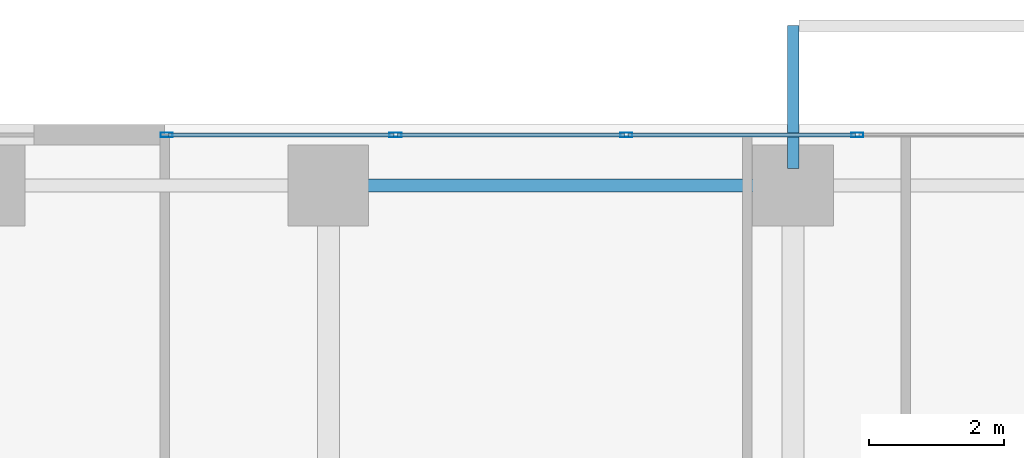
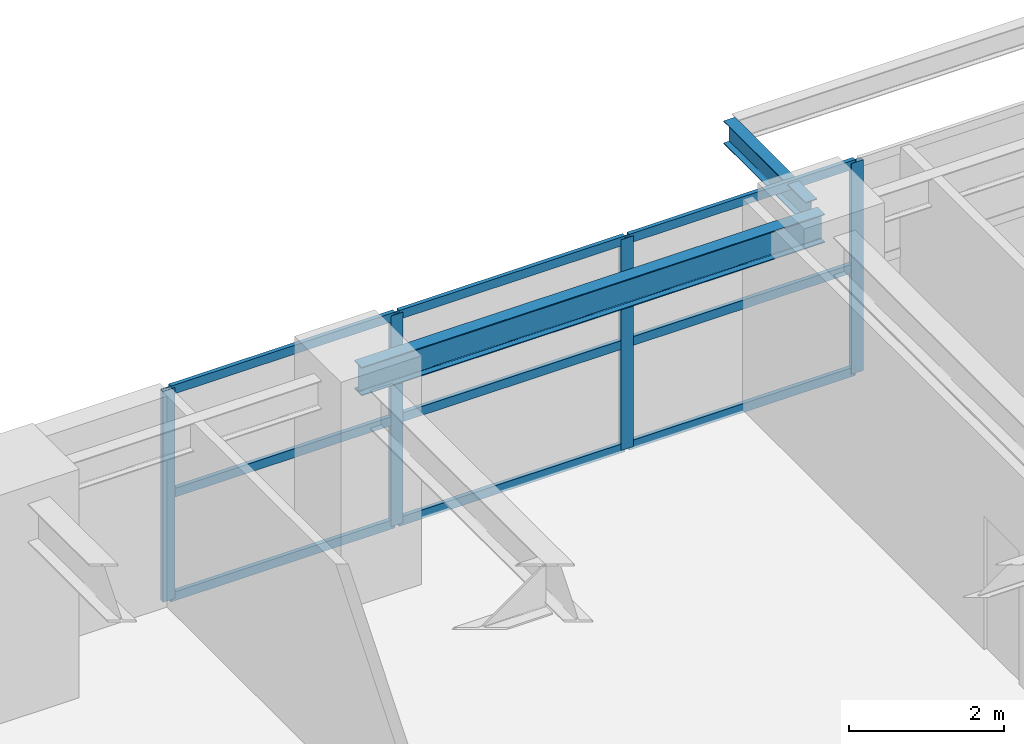
# One storey, part 14 of 24: 13 members, 2 beams, 1 element without a shape of its own.
"""IFC4 building model written with IfcOpenShell, lengths in metres."""

from ifc_helpers import new_model, si_unit, direction, frame, origin, origin_2d, place, context, subcontext, project, spatial, hollow_rectangle, i_section, extrude, source, transform, mapped, material, layer, layer_set, material_profile, profile_set, type_object, element, aggregate, save


model = new_model("IFC4")

# Units and contexts
model_context = context("Model", 3, precision=1e-05, world=origin(), true_north=direction((0.0, 1.0)))
body_context = subcontext(model_context, "Body", "Model", "MODEL_VIEW")
ifc_project = project(units=[si_unit("LENGTHUNIT", "METRE"), si_unit("AREAUNIT", "SQUARE_METRE"), si_unit("VOLUMEUNIT", "CUBIC_METRE"), si_unit("PLANEANGLEUNIT", "RADIAN"), si_unit("MASSUNIT", "GRAM", prefix="KILO")], contexts=[model_context])

# Site, building, storey
site_placement = place(None, origin())
site = spatial("IfcSite", under=ifc_project, at=site_placement, CompositionType="ELEMENT")
building_placement = place(site_placement, origin())
building = spatial("IfcBuilding", under=site, at=building_placement, Name="Khoralis Quay Care Tower", CompositionType="ELEMENT")
storey_placement = place(building_placement, frame((0.0, 0.0, 54.89990234375)))
storey = spatial("IfcBuildingStorey", under=building, at=storey_placement, Name="L14", CompositionType="ELEMENT", Elevation=54.89990234375)

# Beam
ifc_material_1 = material(Name="Steel S355", Category="steel")
ifc_material_profile_1 = material_profile(ifc_material_1, i_section(OverallWidth=0.18994140625, OverallDepth=0.449951171875, WebThickness=0.009521484375, FlangeThickness=0.0146484375, FilletRadius=0.02099609375, at=origin_2d()), Name="Steel S355")
ifc_profile_set_1 = profile_set([ifc_material_profile_1], Name="Steel S355")
beam_type_1 = type_object("IfcBeamType", Name="BM-IPE450", PredefinedType="SPANDREL", material=ifc_profile_set_1)
shared_shape_1 = source(origin(), body_context, "Body", "SweptSolid", [
    extrude(i_section(OverallWidth=0.18994140625, OverallDepth=0.449951171875, WebThickness=0.009521484375, FlangeThickness=0.0146484375, FilletRadius=0.02099609375, at=origin_2d()), origin(), (0.0, 0.0, 1.0), 6.89990234375),
])
beam_1_placement = place(storey_placement, frame((17.10009765625, 47.10009765625, 3.09521484375), z_axis=(1.0, 0.0, 0.0), x_axis=(0.0, 1.0, 0.0)))
element("IfcBeam", 1, at=beam_1_placement, inside=storey, type_object=beam_type_1, Name="BM-TSP-L14-09", PredefinedType="SPANDREL", context=body_context, shape_type="MappedRepresentation", body=[
    mapped(shared_shape_1, transform((0.0, 0.0, 0.0), scale=1.0)),
])

# Curtain wall, members
ifc_material_2 = material(Name="Pale anodised aluminium", Category="aluminium")
ifc_layer = layer(ifc_material_2, 0.179931640625)
ifc_layer_set = layer_set([ifc_layer], Name="Pale anodised aluminium")
curtain_wall_type = type_object("IfcCurtainWallType", Name="CW-SYS-Z1", PredefinedType="NOTDEFINED", material=ifc_layer_set)
curtain_wall_placement = place(storey_placement, origin())
curtain_wall = element("IfcCurtainWall", 2, at=curtain_wall_placement, inside=storey, type_object=curtain_wall_type, Name="L14 Unitised Curtain Wall CW-L14-P1-E10", PredefinedType="NOTDEFINED")
ifc_material_profile_2 = material_profile(ifc_material_2, hollow_rectangle(XDim=0.06494140625, YDim=0.179931640625, WallThickness=0.00390625, at=origin_2d()), Name="Pale anodised aluminium")
ifc_profile_set_2 = profile_set([ifc_material_profile_2], Name="Pale anodised aluminium")
member_type_1 = type_object("IfcMemberType", Name="CW-MUL-180", PredefinedType="MULLION", material=ifc_profile_set_2)
shared_shape_2 = source(origin(), body_context, "Body", "SweptSolid", [
    extrude(hollow_rectangle(XDim=0.06494140625, YDim=0.179931640625, WallThickness=0.00390625, at=origin_2d()), origin(), (0.0, 0.0, 1.0), 3.320068359375),
])
member_1_placement = place(storey_placement, frame((24.9541015625, 47.85009765625, 0.0), z_axis=(0.0, 0.0, 1.0), x_axis=(0.0, -1.0, 0.0)))
member_1 = element("IfcMember", 3, at=member_1_placement, type_object=member_type_1, Name="CW1 mullion 3", PredefinedType="MULLION", context=body_context, shape_type="MappedRepresentation", body=[
    mapped(shared_shape_2, transform((0.0, 0.0, 0.0), scale=1.0)),
])
member_2_placement = place(storey_placement, frame((21.52587890625, 47.85009765625, 0.0), z_axis=(0.0, 0.0, 1.0), x_axis=(0.0, -1.0, 0.0)))
member_2 = element("IfcMember", 4, at=member_2_placement, type_object=member_type_1, Name="CW1 mullion 4", PredefinedType="MULLION", context=body_context, shape_type="MappedRepresentation", body=[
    mapped(shared_shape_2, transform((0.0, 0.0, 0.0), scale=1.0)),
])
member_3_placement = place(storey_placement, frame((18.097900390625, 47.85009765625, 0.0), z_axis=(0.0, 0.0, 1.0), x_axis=(0.0, -1.0, 0.0)))
member_3 = element("IfcMember", 5, at=member_3_placement, type_object=member_type_1, Name="CW1 mullion 5", PredefinedType="MULLION", context=body_context, shape_type="MappedRepresentation", body=[
    mapped(shared_shape_2, transform((0.0, 0.0, 0.0), scale=1.0)),
])
member_4_placement = place(storey_placement, frame((14.699951171875, 47.85009765625, 0.0), z_axis=(0.0, 0.0, 1.0), x_axis=(0.0, -1.0, 0.0)))
member_4 = element("IfcMember", 6, at=member_4_placement, type_object=member_type_1, Name="CW1 mullion 6", PredefinedType="MULLION", context=body_context, shape_type="MappedRepresentation", body=[
    mapped(shared_shape_2, transform((0.0, 0.0, 0.0), scale=1.0)),
])

# Beam
ifc_material_profile_3 = material_profile(ifc_material_1, i_section(OverallWidth=0.169921875, OverallDepth=0.360107421875, WebThickness=0.008056640625, FlangeThickness=0.0126953125, FilletRadius=0.01806640625, at=origin_2d()), Name="Steel S355")
ifc_profile_set_3 = profile_set([ifc_material_profile_3], Name="Steel S355")
beam_type_2 = type_object("IfcBeamType", Name="BM-IPE360", PredefinedType="SPANDREL", material=ifc_profile_set_3)
shared_shape_3 = source(origin(), body_context, "Body", "SweptSolid", [
    extrude(i_section(OverallWidth=0.169921875, OverallDepth=0.360107421875, WebThickness=0.008056640625, FlangeThickness=0.0126953125, FilletRadius=0.01806640625, at=origin_2d()), origin(), (0.0, 0.0, 1.0), 2.119873046875),
])
beam_2_placement = place(storey_placement, frame((24.0, 47.35009765625, 3.14404296875), z_axis=(0.0, 1.0, 0.0), x_axis=(-1.0, 0.0, 0.0)))
element("IfcBeam", 7, at=beam_2_placement, inside=storey, type_object=beam_type_2, Name="L15 Balcony Cantilever Outrigger Beam 1", PredefinedType="SPANDREL", context=body_context, shape_type="MappedRepresentation", body=[
    mapped(shared_shape_3, transform((0.0, 0.0, 0.0), scale=1.0)),
])

# Member
ifc_material_profile_4 = material_profile(ifc_material_2, hollow_rectangle(XDim=0.06005859375, YDim=0.139892578125, WallThickness=0.00390625, at=origin_2d()), Name="Pale anodised aluminium")
ifc_profile_set_4 = profile_set([ifc_material_profile_4], Name="Pale anodised aluminium")
member_type_2 = type_object("IfcMemberType", Name="CW-TRN-140", PredefinedType="USERDEFINED", material=ifc_profile_set_4)
shared_shape_4 = source(origin(), body_context, "Body", "SweptSolid", [
    extrude(hollow_rectangle(XDim=0.06005859375, YDim=0.139892578125, WallThickness=0.00390625, at=origin_2d()), origin(), (0.0, 0.0, 1.0), 3.3681640625),
])
member_5_placement = place(storey_placement, frame((24.924072265625, 47.85009765625, 0.030029296875), z_axis=(-1.0, 0.0, 0.0), x_axis=(0.0, -1.0, 0.0)))
member_5 = element("IfcMember", 8, at=member_5_placement, type_object=member_type_2, Name="CW1 transom 3.1", ObjectType="TRANSOM", PredefinedType="USERDEFINED", context=body_context, shape_type="MappedRepresentation", body=[
    mapped(shared_shape_4, transform((0.0, 0.0, 0.0), scale=1.0)),
])

member_6_placement = place(storey_placement, frame((24.924072265625, 47.85009765625, 1.66015625), z_axis=(-1.0, 0.0, 0.0), x_axis=(0.0, -1.0, 0.0)))
member_6 = element("IfcMember", 9, at=member_6_placement, type_object=member_type_2, Name="CW1 transom 3.2", ObjectType="TRANSOM", PredefinedType="USERDEFINED", context=body_context, shape_type="MappedRepresentation", body=[
    mapped(shared_shape_4, transform((0.0, 0.0, 0.0), scale=1.0)),
])

member_7_placement = place(storey_placement, frame((24.924072265625, 47.85009765625, 3.2900390625), z_axis=(-1.0, 0.0, 0.0), x_axis=(0.0, -1.0, 0.0)))
member_7 = element("IfcMember", 10, at=member_7_placement, type_object=member_type_2, Name="CW1 transom 3.3", ObjectType="TRANSOM", PredefinedType="USERDEFINED", context=body_context, shape_type="MappedRepresentation", body=[
    mapped(shared_shape_4, transform((0.0, 0.0, 0.0), scale=1.0)),
])

member_8_placement = place(storey_placement, frame((21.49609375, 47.85009765625, 0.030029296875), z_axis=(-1.0, 0.0, 0.0), x_axis=(0.0, -1.0, 0.0)))
member_8 = element("IfcMember", 11, at=member_8_placement, type_object=member_type_2, Name="CW1 transom 4.1", ObjectType="TRANSOM", PredefinedType="USERDEFINED", context=body_context, shape_type="MappedRepresentation", body=[
    mapped(shared_shape_4, transform((0.0, 0.0, 0.0), scale=1.0)),
])

member_9_placement = place(storey_placement, frame((21.49609375, 47.85009765625, 1.66015625), z_axis=(-1.0, 0.0, 0.0), x_axis=(0.0, -1.0, 0.0)))
member_9 = element("IfcMember", 12, at=member_9_placement, type_object=member_type_2, Name="CW1 transom 4.2", ObjectType="TRANSOM", PredefinedType="USERDEFINED", context=body_context, shape_type="MappedRepresentation", body=[
    mapped(shared_shape_4, transform((0.0, 0.0, 0.0), scale=1.0)),
])

member_10_placement = place(storey_placement, frame((21.49609375, 47.85009765625, 3.2900390625), z_axis=(-1.0, 0.0, 0.0), x_axis=(0.0, -1.0, 0.0)))
member_10 = element("IfcMember", 13, at=member_10_placement, type_object=member_type_2, Name="CW1 transom 4.3", ObjectType="TRANSOM", PredefinedType="USERDEFINED", context=body_context, shape_type="MappedRepresentation", body=[
    mapped(shared_shape_4, transform((0.0, 0.0, 0.0), scale=1.0)),
])

shared_shape_5 = source(origin(), body_context, "Body", "SweptSolid", [
    extrude(hollow_rectangle(XDim=0.06005859375, YDim=0.139892578125, WallThickness=0.00390625, at=origin_2d()), origin(), (0.0, 0.0, 1.0), 3.338134765625),
])
member_11_placement = place(storey_placement, frame((18.068115234375, 47.85009765625, 0.030029296875), z_axis=(-1.0, 0.0, 0.0), x_axis=(0.0, -1.0, 0.0)))
member_11 = element("IfcMember", 14, at=member_11_placement, type_object=member_type_2, Name="CW1 transom 5.1", ObjectType="TRANSOM", PredefinedType="USERDEFINED", context=body_context, shape_type="MappedRepresentation", body=[
    mapped(shared_shape_5, transform((0.0, 0.0, 0.0), scale=1.0)),
])

member_12_placement = place(storey_placement, frame((18.068115234375, 47.85009765625, 1.66015625), z_axis=(-1.0, 0.0, 0.0), x_axis=(0.0, -1.0, 0.0)))
member_12 = element("IfcMember", 15, at=member_12_placement, type_object=member_type_2, Name="CW1 transom 5.2", ObjectType="TRANSOM", PredefinedType="USERDEFINED", context=body_context, shape_type="MappedRepresentation", body=[
    mapped(shared_shape_5, transform((0.0, 0.0, 0.0), scale=1.0)),
])

member_13_placement = place(storey_placement, frame((18.068115234375, 47.85009765625, 3.2900390625), z_axis=(-1.0, 0.0, 0.0), x_axis=(0.0, -1.0, 0.0)))
member_13 = element("IfcMember", 16, at=member_13_placement, type_object=member_type_2, Name="CW1 transom 5.3", ObjectType="TRANSOM", PredefinedType="USERDEFINED", context=body_context, shape_type="MappedRepresentation", body=[
    mapped(shared_shape_5, transform((0.0, 0.0, 0.0), scale=1.0)),
])

aggregate(curtain_wall, [member_1, member_2, member_3, member_4, member_5, member_6, member_7, member_8, member_9, member_10, member_11, member_12, member_13])

save(model, "model.ifc")
